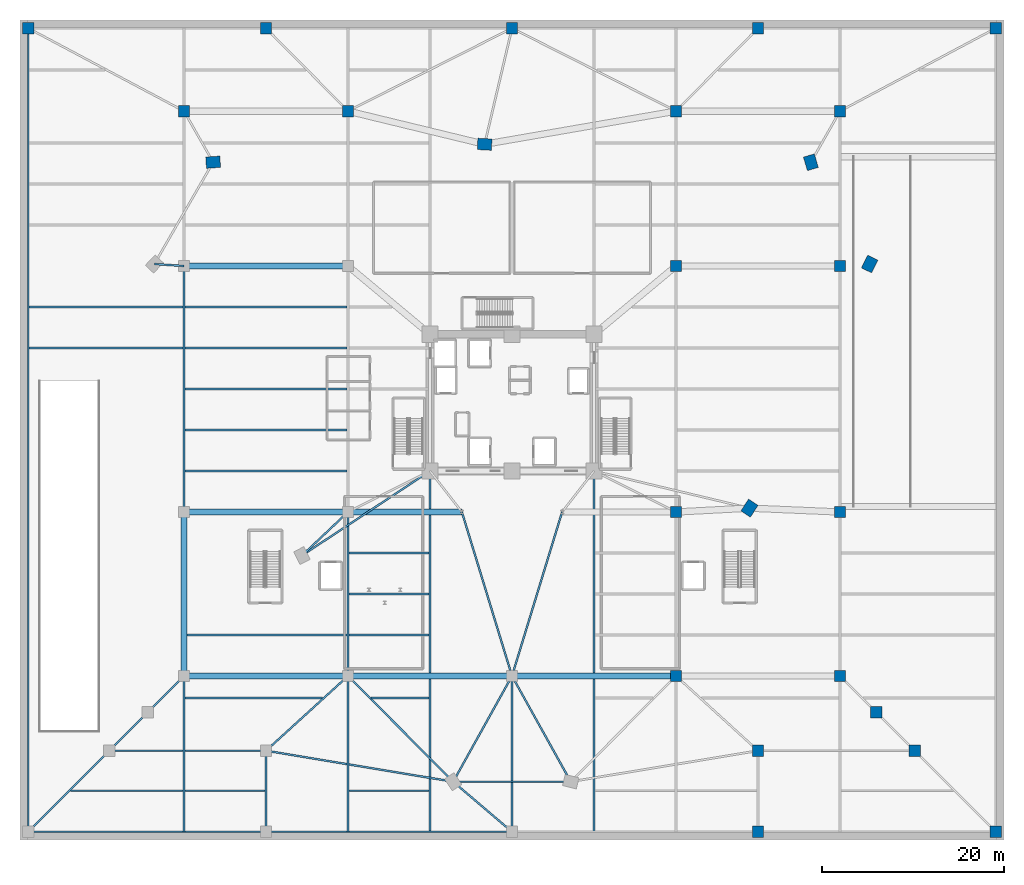
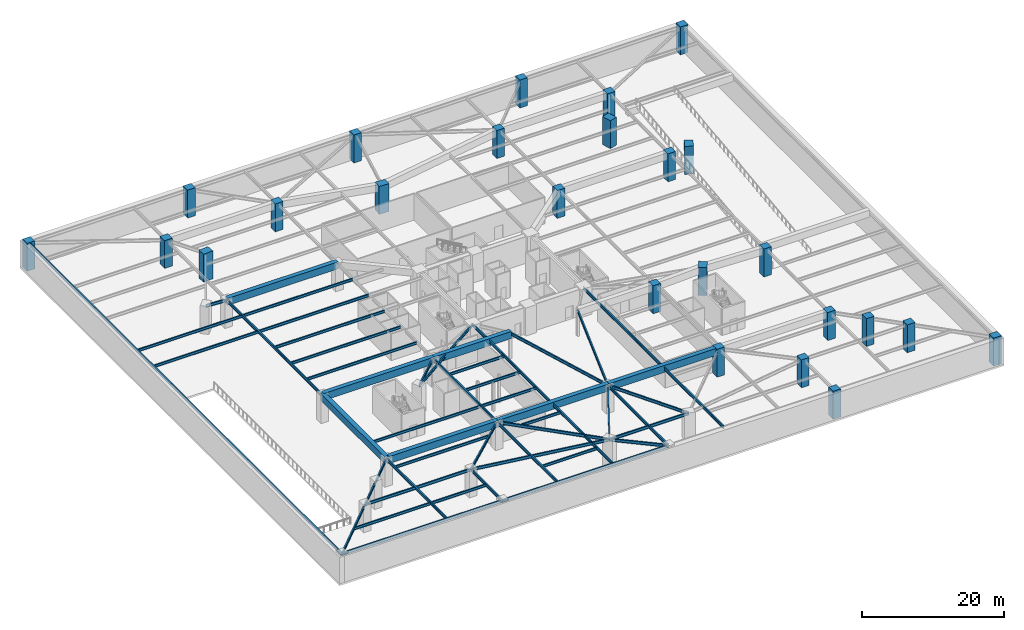
# One storey, part 5 of 20: 50 beams, 25 columns.
"""IFC4 building model written with IfcOpenShell, lengths in metres."""

import ifcopenshell
import ifcopenshell.guid

model = None  # the IFC model being written
_history = None  # IfcOwnerHistory: only IFC2X3 demands one
_inside = {}  # id of a spatial element -> (the spatial element, [elements in it])
_under = {}  # id of a project, library or spatial element -> (it, [spatial elements below it])
_declared = {}  # id of a project -> (the project, [libraries it declares])
_typed = {}  # id of a type object -> (the type object, [elements of that type])
_made_of = {}  # id of a material, layer set ... -> (it, [elements and type objects made of it])


def new_model(schema):
    """Start an empty IFC model of exactly this schema.

    Asked for "IFC4X3", IfcOpenShell would pick the latest addendum, in which some entities
    have other attributes; the version numbers below select the first issue.
    IFC2X3 requires an IfcOwnerHistory on every rooted entity: one is made here for all.
    """
    global model, _history
    if schema == "IFC4X3":
        model = ifcopenshell.file(schema_version=(4, 3, 0, 0))
    else:
        model = ifcopenshell.file(schema=schema)
    _inside.clear()
    _under.clear()
    _declared.clear()
    _typed.clear()
    _made_of.clear()
    _history = None
    if model.schema == "IFC2X3":
        org = make("IfcOrganization", Name="unknown")
        user = make(
            "IfcPersonAndOrganization",
            ThePerson=make("IfcPerson", FamilyName="unknown"),
            TheOrganization=org,
        )
        app = make(
            "IfcApplication",
            ApplicationDeveloper=org,
            Version="unknown",
            ApplicationFullName="unknown",
            ApplicationIdentifier="unknown",
        )
        _history = make(
            "IfcOwnerHistory",
            OwningUser=user,
            OwningApplication=app,
            ChangeAction="ADDED",
            CreationDate=0,
        )
    return model


def make(cls, **values):
    """One entity of the class cls with the attributes given. An attribute that is None is left unset."""
    return model.create_entity(
        cls, **{name: value for name, value in values.items() if value is not None}
    )


def rooted(cls, **values):
    """An entity with a GlobalId (a new one), such as an element, a storey or a relation."""
    return make(cls, GlobalId=ifcopenshell.guid.new(), OwnerHistory=_history, **values)


def si_unit(unit_type, name, prefix=None):
    """IfcSIUnit, for example si_unit("LENGTHUNIT", "METRE", prefix="MILLI")."""
    return make("IfcSIUnit", UnitType=unit_type, Prefix=prefix, Name=name)


def assignment(units):
    """IfcUnitAssignment: the units of a project."""
    return None if units is None else make("IfcUnitAssignment", Units=units)


def point(xyz):
    """IfcCartesianPoint."""
    return None if xyz is None else make("IfcCartesianPoint", Coordinates=xyz)


def direction(xyz):
    """IfcDirection."""
    return None if xyz is None else make("IfcDirection", DirectionRatios=xyz)


def frame(location, z_axis=None, x_axis=None):
    """IfcAxis2Placement3D, a coordinate frame: its origin and axes. An axis left out is left unset."""
    return make(
        "IfcAxis2Placement3D",
        Location=point(location),
        Axis=direction(z_axis),
        RefDirection=direction(x_axis),
    )


def frame_2d(location, x_axis=None):
    """IfcAxis2Placement2D, a coordinate frame in the plane: its origin and x axis."""
    return make(
        "IfcAxis2Placement2D", Location=point(location), RefDirection=direction(x_axis)
    )


def origin():
    """The frame at (0, 0, 0) with its axes left unset."""
    return frame((0.0, 0.0, 0.0))


def origin_2d():
    """The frame at (0, 0) in the plane with its x axis left unset."""
    return frame_2d((0.0, 0.0))


def place(relative_to, where):
    """IfcLocalPlacement: puts the frame where relative to a parent placement (None: the world)."""
    return make(
        "IfcLocalPlacement", PlacementRelTo=relative_to, RelativePlacement=where
    )


def context(
    kind, dimensions, precision=None, world=None, true_north=None, identifier=None
):
    """IfcGeometricRepresentationContext, for example the 3D "Model" context."""
    return make(
        "IfcGeometricRepresentationContext",
        ContextIdentifier=identifier,
        ContextType=kind,
        CoordinateSpaceDimension=dimensions,
        Precision=precision,
        WorldCoordinateSystem=world,
        TrueNorth=true_north,
    )


def subcontext(parent, identifier, kind, view, scale=None):
    """IfcGeometricRepresentationSubContext, for example "Body" below "Model"."""
    return make(
        "IfcGeometricRepresentationSubContext",
        ContextIdentifier=identifier,
        ContextType=kind,
        ParentContext=parent,
        TargetScale=scale,
        TargetView=view,
    )


def project(units=None, contexts=None):
    """IfcProject with its units and contexts."""
    return rooted(
        "IfcProject",
        Name="project",
        RepresentationContexts=contexts,
        UnitsInContext=assignment(units),
    )


def spatial(cls, under=None, at=None, **own):
    """A site, building, storey or space (cls), placed at a placement, below another one or the project."""
    s = rooted(cls, ObjectPlacement=at, **own)
    if under is not None:
        _under.setdefault(under.id(), (under, []))[1].append(s)
    return s


def profile(cls, at=None, kind="AREA", **sizes):
    """A parametric profile (cls). Its sizes go by their IFC names, for example OverallWidth=200.0."""
    return make(cls, ProfileType=kind, Position=at, **sizes)


def rectangle(**sizes):
    """IfcRectangleProfileDef."""
    return profile("IfcRectangleProfileDef", **sizes)


def i_section(**sizes):
    """IfcIShapeProfileDef."""
    return profile("IfcIShapeProfileDef", **sizes)


def extrude(swept, where, along, depth):
    """IfcExtrudedAreaSolid: the profile swept, set in the frame where, extruded along a direction by depth."""
    return make(
        "IfcExtrudedAreaSolid",
        SweptArea=swept,
        Position=where,
        ExtrudedDirection=direction(along),
        Depth=depth,
    )


def shape(context_of_items, identifier, shape_type, items):
    """IfcShapeRepresentation: the items that make up one representation, for example the "Body"."""
    return make(
        "IfcShapeRepresentation",
        ContextOfItems=context_of_items,
        RepresentationIdentifier=identifier,
        RepresentationType=shape_type,
        Items=items,
    )


def source(mapping_origin, context_of_items, identifier, shape_type, items):
    """IfcRepresentationMap: a shape defined once, which mapped items show again and again."""
    return make(
        "IfcRepresentationMap",
        MappingOrigin=mapping_origin,
        MappedRepresentation=shape(context_of_items, identifier, shape_type, items),
    )


def transform(
    local_origin,
    x_axis=None,
    y_axis=None,
    z_axis=None,
    scale=None,
    scale2=None,
    scale3=None,
    uniform=True,
):
    """IfcCartesianTransformationOperator3D, or its non-uniform kind. x_axis, y_axis, z_axis: its Axis1, 2, 3."""
    if uniform:
        return make(
            "IfcCartesianTransformationOperator3D",
            Axis1=direction(x_axis),
            Axis2=direction(y_axis),
            LocalOrigin=point(local_origin),
            Scale=scale,
            Axis3=direction(z_axis),
        )
    return make(
        "IfcCartesianTransformationOperator3DnonUniform",
        Axis1=direction(x_axis),
        Axis2=direction(y_axis),
        LocalOrigin=point(local_origin),
        Scale=scale,
        Axis3=direction(z_axis),
        Scale2=scale2,
        Scale3=scale3,
    )


def mapped(mapping_source, mapping_target):
    """IfcMappedItem: shows the shape of a source again, moved by a transform."""
    return make(
        "IfcMappedItem", MappingSource=mapping_source, MappingTarget=mapping_target
    )


def material(Name=None, Category=None):
    """IfcMaterial."""
    return make("IfcMaterial", Name=Name, Category=Category)


def material_profile(
    of_material, cross_section, Name=None, Category=None, Priority=None
):
    """IfcMaterialProfile: a cross section and its material."""
    return make(
        "IfcMaterialProfile",
        Name=Name,
        Material=of_material,
        Profile=cross_section,
        Priority=Priority,
        Category=Category,
    )


def profile_set(profiles, Name=None, composite=None):
    """IfcMaterialProfileSet."""
    return make(
        "IfcMaterialProfileSet",
        Name=Name,
        MaterialProfiles=profiles,
        CompositeProfile=composite,
    )


def made_of(thing, what):
    """Note that an element or type object is made of a material, layer set ...; save() writes the relation."""
    if what is not None:
        _made_of.setdefault(what.id(), (what, []))[1].append(thing)
    return thing


def type_object(cls, material=None, **own):
    """A type object (cls), such as IfcWallType, which elements share."""
    return made_of(rooted(cls, **own), material)


def element(
    cls,
    number,
    at=None,
    inside=None,
    cuts=None,
    type_object=None,
    material=None,
    context=None,
    identifier="Body",
    shape_type=None,
    held_by="IfcProductDefinitionShape",
    body=None,
    shapes=None,
    **own,
):
    """One element of the class cls, such as IfcWall. Its Tag is "e" and its number.

    at: its placement. inside: the storey or other place that contains it. cuts: it is an
    opening in that element (IfcRelVoidsElement). A single representation is given by context,
    identifier, shape_type and body (its items); several are given by shapes. held_by: the class
    of the entity that holds the representations. save() writes the other relations.
    """
    e = rooted(cls, Tag="e%d" % number, ObjectPlacement=at, **own)
    if body is not None:
        shapes = [shape(context, identifier, shape_type, body)]
    if shapes is not None:
        e.Representation = make(held_by, Representations=shapes)
    if inside is not None:
        _inside.setdefault(inside.id(), (inside, []))[1].append(e)
    if cuts is not None:
        rooted(
            "IfcRelVoidsElement", RelatingBuildingElement=cuts, RelatedOpeningElement=e
        )
    if type_object is not None:
        _typed.setdefault(type_object.id(), (type_object, []))[1].append(e)
    return made_of(e, material)


def aggregate(whole, parts):
    """IfcRelAggregates: a whole, such as a stair, and the parts it consists of."""
    return rooted("IfcRelAggregates", RelatingObject=whole, RelatedObjects=parts)


def save(model, path):
    """Write the relations noted so far, then the file.

    IfcRelAggregates (storeys below a building ...), IfcRelContainedInSpatialStructure (elements
    in a storey), IfcRelDefinesByType, IfcRelAssociatesMaterial and IfcRelDeclares: one each for
    every whole, place, type object, material and project.
    """
    for whole, parts in _under.values():
        aggregate(whole, parts)
    for where, things in _inside.values():
        rooted(
            "IfcRelContainedInSpatialStructure",
            RelatedElements=things,
            RelatingStructure=where,
        )
    for kind, things in _typed.values():
        rooted("IfcRelDefinesByType", RelatedObjects=things, RelatingType=kind)
    for what, things in _made_of.values():
        rooted("IfcRelAssociatesMaterial", RelatedObjects=things, RelatingMaterial=what)
    for by, libraries in _declared.values():
        rooted("IfcRelDeclares", RelatingContext=by, RelatedDefinitions=libraries)
    model.write(path)


model = new_model("IFC4")

# Units and contexts
model_context = context("Model", 3, precision=1e-05, world=origin(), true_north=direction((0.0, 1.0)))
body_context = subcontext(model_context, "Body", "Model", "MODEL_VIEW")
ifc_project = project(units=[si_unit("LENGTHUNIT", "METRE"), si_unit("AREAUNIT", "SQUARE_METRE"), si_unit("VOLUMEUNIT", "CUBIC_METRE"), si_unit("PLANEANGLEUNIT", "RADIAN"), si_unit("MASSUNIT", "GRAM", prefix="KILO")], contexts=[model_context])

# Site, building, storey
site_placement = place(None, origin())
site = spatial("IfcSite", under=ifc_project, at=site_placement, CompositionType="ELEMENT")
building_placement = place(site_placement, origin())
building = spatial("IfcBuilding", under=site, at=building_placement, Name="Liaohun Quay Tower", CompositionType="ELEMENT")
storey_placement = place(building_placement, frame((0.0, 0.0, -4.800048828125)))
storey = spatial("IfcBuildingStorey", under=building, at=storey_placement, Name="B1", CompositionType="ELEMENT", Elevation=-4.800048828125)

# Columns
ifc_material_1 = material(Name="Concrete C60", Category="concrete")
ifc_material_profile_1 = material_profile(ifc_material_1, rectangle(XDim=1.550048828125, YDim=1.25, at=origin_2d()), Name="RC1550x1250")
ifc_profile_set_1 = profile_set([ifc_material_profile_1], Name="Concrete C60")
column_type_1 = type_object("IfcColumnType", Name="COL-PIER-Z1", PredefinedType="COLUMN", material=ifc_profile_set_1)
shared_shape_1 = source(origin(), body_context, "Body", "SweptSolid", [
    extrude(rectangle(XDim=1.550048828125, YDim=1.25, at=origin_2d()), origin(), (0.0, 0.0, 1.0), 4.800048828125),
])
for number, where, z_axis, x_axis, name in (
    (1, (27.198974609375, 80.39111328125, 0.0), (0.0, 0.0, 1.0), (0.997824541457, 0.065925597951, 0.0), "B1 Tower Mega-Pier PC05"),
    (2, (92.802978515625, 80.384033203125, 0.0), (0.0, 0.0, 1.0), (-0.282676303383, 0.959215360337, 0.0), "B1 Tower Mega-Pier PC07"),
    (3, (99.256103515625, 69.2119140625, 0.0), (0.0, 0.0, 1.0), (0.441819028143, 0.897104200397, 0.0), "B1 Tower Mega-Pier PC09"),
    (4, (56.9951171875, 82.360107421875, 0.0), (0.0, 0.0, 1.0), (-0.998479491627, 0.055124448298, 0.0), "B1 Tower Mega-Pier PC06"),
    (5, (86.06396484375, 42.423095703125, 0.0), (0.0, 0.0, 1.0), (0.546978918409, 0.837146380758, 0.0), "B1 Tower Mega-Pier PC10"),
):
    element("IfcColumn", number, at=place(storey_placement, frame(where, z_axis=z_axis, x_axis=x_axis)), inside=storey, type_object=column_type_1, Name=name, PredefinedType="COLUMN", context=body_context, shape_type="MappedRepresentation", body=[
        mapped(shared_shape_1, transform((0.0, 0.0, 0.0), x_axis=(1.0, 0.0, 0.0), y_axis=(0.0, 1.0, 0.0), z_axis=(0.0, 0.0, 1.0), scale=1.0)),
    ])
ifc_material_profile_2 = material_profile(ifc_material_1, rectangle(XDim=1.25, YDim=1.25, at=origin_2d()), Name="RC1250x1250")
ifc_profile_set_2 = profile_set([ifc_material_profile_2], Name="Concrete C60")
column_type_2 = type_object("IfcColumnType", Name="COL-POD-B", PredefinedType="COLUMN", material=ifc_profile_set_2)
shared_shape_2 = source(origin(), body_context, "Body", "SweptSolid", [
    extrude(rectangle(XDim=1.25, YDim=1.25, at=origin_2d()), origin(), (0.0, 0.0, 1.0), 4.800048828125),
])
for number, where, z_axis, x_axis, name in (
    (6, (78.0, 24.0, 0.0), (0.0, 0.0, 1.0), (1.0, 0.0, 0.0), "B1 Podium Column PG04"),
    (7, (96.0, 24.0, 0.0), (0.0, 0.0, 1.0), (1.0, 0.0, 0.0), "B1 Podium Column PG05"),
    (8, (78.0, 42.0, 0.0), (0.0, 0.0, 1.0), (1.0, 0.0, 0.0), "B1 Podium Column PG08"),
    (9, (96.0, 42.0, 0.0), (0.0, 0.0, 1.0), (1.0, 0.0, 0.0), "B1 Podium Column PG09"),
    (10, (78.0, 69.0, 0.0), (0.0, 0.0, 1.0), (1.0, 0.0, 0.0), "B1 Podium Column PG12"),
    (11, (96.0, 69.0, 0.0), (0.0, 0.0, 1.0), (1.0, 0.0, 0.0), "B1 Podium Column PG13"),
    (12, (24.0, 86.0, 0.0), (0.0, 0.0, 1.0), (1.0, 0.0, 0.0), "B1 Podium Column PG14"),
    (13, (42.0, 86.0, 0.0), (0.0, 0.0, 1.0), (1.0, 0.0, 0.0), "B1 Podium Column PG15"),
    (14, (78.0, 86.0, 0.0), (0.0, 0.0, 1.0), (1.0, 0.0, 0.0), "B1 Podium Column PG17"),
    (15, (96.0, 86.0, 0.0), (0.0, 0.0, 1.0), (1.0, 0.0, 0.0), "B1 Podium Column PG18"),
    (16, (87.0, 15.800048828125, 0.0), (0.0, 0.0, 1.0), (1.0, 0.0, 0.0), "B1 Podium Column PT03"),
    (17, (104.199951171875, 15.800048828125, 0.0), (0.0, 0.0, 1.0), (1.0, 0.0, 0.0), "B1 Podium Column PT04"),
    (18, (100.0, 20.0, 0.0), (0.0, 0.0, 1.0), (1.0, 0.0, 0.0), "B1 Podium Column PT06"),
    (19, (87.0, 6.89990234375, 0.0), (0.0, 0.0, 1.0), (1.0, 0.0, 0.0), "B1 Podium Column BP04"),
    (20, (113.10009765625, 6.89990234375, 0.0), (0.0, 0.0, 1.0), (1.0, 0.0, 0.0), "B1 Podium Column BP05"),
    (21, (6.89990234375, 95.10009765625, 0.0), (0.0, 0.0, 1.0), (1.0, 0.0, 0.0), "B1 Podium Column BP06"),
    (22, (33.0, 95.10009765625, 0.0), (0.0, 0.0, 1.0), (1.0, 0.0, 0.0), "B1 Podium Column BP07"),
    (23, (60.0, 95.10009765625, 0.0), (0.0, 0.0, 1.0), (1.0, 0.0, 0.0), "B1 Podium Column BP08"),
    (24, (87.0, 95.10009765625, 0.0), (0.0, 0.0, 1.0), (1.0, 0.0, 0.0), "B1 Podium Column BP09"),
    (25, (113.10009765625, 95.10009765625, 0.0), (0.0, 0.0, 1.0), (1.0, 0.0, 0.0), "B1 Podium Column BP10"),
):
    element("IfcColumn", number, at=place(storey_placement, frame(where, z_axis=z_axis, x_axis=x_axis)), inside=storey, type_object=column_type_2, Name=name, PredefinedType="COLUMN", context=body_context, shape_type="MappedRepresentation", body=[
        mapped(shared_shape_2, transform((0.0, 0.0, 0.0), x_axis=(1.0, 0.0, 0.0), y_axis=(0.0, 1.0, 0.0), z_axis=(0.0, 0.0, 1.0), scale=1.0)),
    ])

# Beams
ifc_material_2 = material(Name="Steel Q355D", Category="steel")
ifc_material_profile_3 = material_profile(ifc_material_2, i_section(OverallWidth=0.199951171875, OverallDepth=0.5, WebThickness=0.010009765625, FlangeThickness=0.01611328125, at=origin_2d()), Name="HN500x200x10x16")
ifc_profile_set_3 = profile_set([ifc_material_profile_3], Name="Steel Q355D")
beam_type_1 = type_object("IfcBeamType", Name="BM-POD-G3", PredefinedType="BEAM", material=ifc_profile_set_3)
shared_shape_3 = source(origin(), body_context, "Body", "SweptSolid", [
    extrude(i_section(OverallWidth=0.199951171875, OverallDepth=0.5, WebThickness=0.010009765625, FlangeThickness=0.01611328125, at=origin_2d()), origin(), (0.0, 0.0, 1.0), 27.0),
])
for number, where, z_axis, x_axis, name in (
    (26, (24.0, 42.0, 4.300048828125), (0.0, 1.0, 0.0), (-1.0, 0.0, 0.0), "B1 Primary Grid Girder PG06-PG10"),
    (27, (33.0, 6.89990234375, 4.300048828125), (1.0, 0.0, 0.0), (0.0, 1.0, 0.0), "B1 Perimeter Tie Girder BP02-BP03"),
):
    element("IfcBeam", number, at=place(storey_placement, frame(where, z_axis=z_axis, x_axis=x_axis)), inside=storey, type_object=beam_type_1, Name=name, PredefinedType="BEAM", context=body_context, shape_type="MappedRepresentation", body=[
        mapped(shared_shape_3, transform((0.0, 0.0, 0.0), x_axis=(1.0, 0.0, 0.0), y_axis=(0.0, 1.0, 0.0), z_axis=(0.0, 0.0, 1.0), scale=1.0)),
    ])
shared_shape_4 = source(origin(), body_context, "Body", "SweptSolid", [
    extrude(i_section(OverallWidth=0.199951171875, OverallDepth=0.5, WebThickness=0.010009765625, FlangeThickness=0.01611328125, at=origin_2d()), origin(), (0.0, 0.0, 1.0), 18.0),
])
beam_1_placement = place(storey_placement, frame((42.0, 24.0, 4.300048828125), z_axis=(0.0, 1.0, 0.0), x_axis=(-1.0, 0.0, 0.0)))
element("IfcBeam", 28, at=beam_1_placement, inside=storey, type_object=beam_type_1, Name="B1 Primary Grid Girder PG02-PG07", PredefinedType="BEAM", context=body_context, shape_type="MappedRepresentation", body=[
    mapped(shared_shape_4, transform((0.0, 0.0, 0.0), x_axis=(1.0, 0.0, 0.0), y_axis=(0.0, 1.0, 0.0), z_axis=(0.0, 0.0, 1.0), scale=1.0)),
])
shared_shape_5 = source(origin(), body_context, "Body", "SweptSolid", [
    extrude(i_section(OverallWidth=0.199951171875, OverallDepth=0.5, WebThickness=0.010009765625, FlangeThickness=0.01611328125, at=origin_2d()), origin(), (0.0, 0.0, 1.0), 18.821533203125),
])
for number, where, z_axis, x_axis, name in (
    (29, (60.0, 24.0, 4.300048828125), (-0.292218535599, 0.956351571051, 0.0), (-0.956351571051, -0.292218535599, 0.0), "B1 Primary Grid Girder PG03-AT1"),
    (30, (60.0, 24.0, 4.300048828125), (0.292218535599, 0.956351571051, 0.0), (-0.956351571051, 0.292218535599, 0.0), "B1 Primary Grid Girder PG03-AT2"),
):
    element("IfcBeam", number, at=place(storey_placement, frame(where, z_axis=z_axis, x_axis=x_axis)), inside=storey, type_object=beam_type_1, Name=name, PredefinedType="BEAM", context=body_context, shape_type="MappedRepresentation", body=[
        mapped(shared_shape_5, transform((0.0, 0.0, 0.0), x_axis=(1.0, 0.0, 0.0), y_axis=(0.0, 1.0, 0.0), z_axis=(0.0, 0.0, 1.0), scale=1.0)),
    ])
shared_shape_6 = source(origin(), body_context, "Body", "SweptSolid", [
    extrude(i_section(OverallWidth=0.199951171875, OverallDepth=0.5, WebThickness=0.010009765625, FlangeThickness=0.01611328125, at=origin_2d()), origin(), (0.0, 0.0, 1.0), 16.368896484375),
])
beam_2_placement = place(storey_placement, frame((53.5458984375, 12.39697265625, 4.300048828125), z_axis=(-0.705359574392, 0.708849681395, 0.0), x_axis=(-0.708849681395, -0.705359574392, 0.0)))
element("IfcBeam", 31, at=beam_2_placement, inside=storey, type_object=beam_type_1, Name="B1 Primary Grid Girder PC01-PG02", PredefinedType="BEAM", context=body_context, shape_type="MappedRepresentation", body=[
    mapped(shared_shape_6, transform((0.0, 0.0, 0.0), x_axis=(1.0, 0.0, 0.0), y_axis=(0.0, 1.0, 0.0), z_axis=(0.0, 0.0, 1.0), scale=1.0)),
])
shared_shape_7 = source(origin(), body_context, "Body", "SweptSolid", [
    extrude(i_section(OverallWidth=0.199951171875, OverallDepth=0.5, WebThickness=0.010009765625, FlangeThickness=0.01611328125, at=origin_2d()), origin(), (0.0, 0.0, 1.0), 13.27734375),
])
beam_3_placement = place(storey_placement, frame((53.5458984375, 12.39697265625, 4.300048828125), z_axis=(0.486101867227, 0.87390215395, 0.0), x_axis=(-0.87390215395, 0.486101867227, 0.0)))
element("IfcBeam", 32, at=beam_3_placement, inside=storey, type_object=beam_type_1, Name="B1 Primary Grid Girder PC01-PG03", PredefinedType="BEAM", context=body_context, shape_type="MappedRepresentation", body=[
    mapped(shared_shape_7, transform((0.0, 0.0, 0.0), x_axis=(1.0, 0.0, 0.0), y_axis=(0.0, 1.0, 0.0), z_axis=(0.0, 0.0, 1.0), scale=1.0)),
])
shared_shape_8 = source(origin(), body_context, "Body", "SweptSolid", [
    extrude(i_section(OverallWidth=0.199951171875, OverallDepth=0.5, WebThickness=0.010009765625, FlangeThickness=0.01611328125, at=origin_2d()), origin(), (0.0, 0.0, 1.0), 13.272705078125),
])
beam_4_placement = place(storey_placement, frame((66.447998046875, 12.39892578125, 4.300048828125), z_axis=(-0.485813156466, 0.874062684826, 0.0), x_axis=(-0.874062684826, -0.485813156466, 0.0)))
element("IfcBeam", 33, at=beam_4_placement, inside=storey, type_object=beam_type_1, Name="B1 Primary Grid Girder PC11-PG03", PredefinedType="BEAM", context=body_context, shape_type="MappedRepresentation", body=[
    mapped(shared_shape_8, transform((0.0, 0.0, 0.0), x_axis=(1.0, 0.0, 0.0), y_axis=(0.0, 1.0, 0.0), z_axis=(0.0, 0.0, 1.0), scale=1.0)),
])
shared_shape_9 = source(origin(), body_context, "Body", "SweptSolid", [
    extrude(i_section(OverallWidth=0.199951171875, OverallDepth=0.5, WebThickness=0.010009765625, FlangeThickness=0.01611328125, at=origin_2d()), origin(), (0.0, 0.0, 1.0), 12.902099609375),
])
beam_5_placement = place(storey_placement, frame((53.5458984375, 12.39697265625, 4.300048828125), z_axis=(0.999999988542, 0.000151380398, 0.0), x_axis=(-0.000151380398, 0.999999988542, 0.0)))
element("IfcBeam", 34, at=beam_5_placement, inside=storey, type_object=beam_type_1, Name="B1 Primary Grid Girder PC01-PC11", PredefinedType="BEAM", context=body_context, shape_type="MappedRepresentation", body=[
    mapped(shared_shape_9, transform((0.0, 0.0, 0.0), x_axis=(1.0, 0.0, 0.0), y_axis=(0.0, 1.0, 0.0), z_axis=(0.0, 0.0, 1.0), scale=1.0)),
])
shared_shape_10 = source(origin(), body_context, "Body", "SweptSolid", [
    extrude(i_section(OverallWidth=0.199951171875, OverallDepth=0.5, WebThickness=0.010009765625, FlangeThickness=0.01611328125, at=origin_2d()), origin(), (0.0, 0.0, 1.0), 6.962158203125),
])
beam_6_placement = place(storey_placement, frame((36.94091796875, 37.217041015625, 4.300048828125), z_axis=(0.726659067673, 0.686998252813, 0.0), x_axis=(-0.686998252813, 0.726659067673, 0.0)))
element("IfcBeam", 35, at=beam_6_placement, inside=storey, type_object=beam_type_1, Name="B1 Primary Grid Girder PC02-PG07", PredefinedType="BEAM", context=body_context, shape_type="MappedRepresentation", body=[
    mapped(shared_shape_10, transform((0.0, 0.0, 0.0), x_axis=(1.0, 0.0, 0.0), y_axis=(0.0, 1.0, 0.0), z_axis=(0.0, 0.0, 1.0), scale=1.0)),
])
shared_shape_11 = source(origin(), body_context, "Body", "SweptSolid", [
    extrude(i_section(OverallWidth=0.199951171875, OverallDepth=0.5, WebThickness=0.010009765625, FlangeThickness=0.01611328125, at=origin_2d()), origin(), (0.0, 0.0, 1.0), 16.84716796875),
])
beam_7_placement = place(storey_placement, frame((36.94091796875, 37.217041015625, 4.300048828125), z_axis=(0.834501195619, 0.551006129285, 0.0), x_axis=(-0.551006129285, 0.834501195619, 0.0)))
element("IfcBeam", 36, at=beam_7_placement, inside=storey, type_object=beam_type_1, Name="B1 Primary Grid Girder PC02-CC1", PredefinedType="BEAM", context=body_context, shape_type="MappedRepresentation", body=[
    mapped(shared_shape_11, transform((0.0, 0.0, 0.0), x_axis=(1.0, 0.0, 0.0), y_axis=(0.0, 1.0, 0.0), z_axis=(0.0, 0.0, 1.0), scale=1.0)),
])
shared_shape_12 = source(origin(), body_context, "Body", "SweptSolid", [
    extrude(i_section(OverallWidth=0.199951171875, OverallDepth=0.5, WebThickness=0.010009765625, FlangeThickness=0.01611328125, at=origin_2d()), origin(), (0.0, 0.0, 1.0), 3.25927734375),
])
beam_8_placement = place(storey_placement, frame((20.748046875, 69.217041015625, 4.300048828125), z_axis=(0.997780183272, -0.066593587307, 0.0), x_axis=(0.066593587307, 0.997780183272, 0.0)))
element("IfcBeam", 37, at=beam_8_placement, inside=storey, type_object=beam_type_1, Name="B1 Primary Grid Girder PC03-PG10", PredefinedType="BEAM", context=body_context, shape_type="MappedRepresentation", body=[
    mapped(shared_shape_12, transform((0.0, 0.0, 0.0), x_axis=(1.0, 0.0, 0.0), y_axis=(0.0, 1.0, 0.0), z_axis=(0.0, 0.0, 1.0), scale=1.0)),
])
shared_shape_13 = source(origin(), body_context, "Body", "SweptSolid", [
    extrude(i_section(OverallWidth=0.199951171875, OverallDepth=0.5, WebThickness=0.010009765625, FlangeThickness=0.01611328125, at=origin_2d()), origin(), (0.0, 0.0, 1.0), 17.199951171875),
])
beam_9_placement = place(storey_placement, frame((15.800048828125, 15.800048828125, 4.300048828125), z_axis=(1.0, 0.0, 0.0), x_axis=(0.0, 1.0, 0.0)))
element("IfcBeam", 38, at=beam_9_placement, inside=storey, type_object=beam_type_1, Name="B1 Perimeter Tie Girder PT01-PT02", PredefinedType="BEAM", context=body_context, shape_type="MappedRepresentation", body=[
    mapped(shared_shape_13, transform((0.0, 0.0, 0.0), x_axis=(1.0, 0.0, 0.0), y_axis=(0.0, 1.0, 0.0), z_axis=(0.0, 0.0, 1.0), scale=1.0)),
])
shared_shape_14 = source(origin(), body_context, "Body", "SweptSolid", [
    extrude(i_section(OverallWidth=0.199951171875, OverallDepth=0.5, WebThickness=0.010009765625, FlangeThickness=0.01611328125, at=origin_2d()), origin(), (0.0, 0.0, 1.0), 20.825927734375),
])
beam_10_placement = place(storey_placement, frame((33.0, 15.800048828125, 4.300048828125), z_axis=(0.986558813697, -0.163406569991, 0.0), x_axis=(0.163406569991, 0.986558813697, 0.0)))
element("IfcBeam", 39, at=beam_10_placement, inside=storey, type_object=beam_type_1, Name="B1 Perimeter Tie Girder PT02-PC01", PredefinedType="BEAM", context=body_context, shape_type="MappedRepresentation", body=[
    mapped(shared_shape_14, transform((0.0, 0.0, 0.0), x_axis=(1.0, 0.0, 0.0), y_axis=(0.0, 1.0, 0.0), z_axis=(0.0, 0.0, 1.0), scale=1.0)),
])
shared_shape_15 = source(origin(), body_context, "Body", "SweptSolid", [
    extrude(i_section(OverallWidth=0.199951171875, OverallDepth=0.5, WebThickness=0.010009765625, FlangeThickness=0.01611328125, at=origin_2d()), origin(), (0.0, 0.0, 1.0), 5.939697265625),
])
beam_11_placement = place(storey_placement, frame((15.800048828125, 15.800048828125, 4.300048828125), z_axis=(0.707106781187, 0.707106781187, 0.0), x_axis=(-0.707106781187, 0.707106781187, 0.0)))
element("IfcBeam", 40, at=beam_11_placement, inside=storey, type_object=beam_type_1, Name="B1 Perimeter Tie Girder PT01-PT05", PredefinedType="BEAM", context=body_context, shape_type="MappedRepresentation", body=[
    mapped(shared_shape_15, transform((0.0, 0.0, 0.0), x_axis=(1.0, 0.0, 0.0), y_axis=(0.0, 1.0, 0.0), z_axis=(0.0, 0.0, 1.0), scale=1.0)),
])
shared_shape_16 = source(origin(), body_context, "Body", "SweptSolid", [
    extrude(i_section(OverallWidth=0.199951171875, OverallDepth=0.5, WebThickness=0.010009765625, FlangeThickness=0.01611328125, at=origin_2d()), origin(), (0.0, 0.0, 1.0), 12.17529296875),
])
beam_12_placement = place(storey_placement, frame((33.0, 15.800048828125, 4.300048828125), z_axis=(0.739198333818, 0.673487804849, 0.0), x_axis=(-0.673487804849, 0.739198333818, 0.0)))
element("IfcBeam", 41, at=beam_12_placement, inside=storey, type_object=beam_type_1, Name="B1 Perimeter Tie Girder PT02-PG02", PredefinedType="BEAM", context=body_context, shape_type="MappedRepresentation", body=[
    mapped(shared_shape_16, transform((0.0, 0.0, 0.0), x_axis=(1.0, 0.0, 0.0), y_axis=(0.0, 1.0, 0.0), z_axis=(0.0, 0.0, 1.0), scale=1.0)),
])
shared_shape_17 = source(origin(), body_context, "Body", "SweptSolid", [
    extrude(i_section(OverallWidth=0.199951171875, OverallDepth=0.5, WebThickness=0.010009765625, FlangeThickness=0.01611328125, at=origin_2d()), origin(), (0.0, 0.0, 1.0), 5.65673828125),
])
beam_13_placement = place(storey_placement, frame((20.0, 20.0, 4.300048828125), z_axis=(0.707106781187, 0.707106781187, 0.0), x_axis=(-0.707106781187, 0.707106781187, 0.0)))
element("IfcBeam", 42, at=beam_13_placement, inside=storey, type_object=beam_type_1, Name="B1 Perimeter Tie Girder PT05-PG01", PredefinedType="BEAM", context=body_context, shape_type="MappedRepresentation", body=[
    mapped(shared_shape_17, transform((0.0, 0.0, 0.0), x_axis=(1.0, 0.0, 0.0), y_axis=(0.0, 1.0, 0.0), z_axis=(0.0, 0.0, 1.0), scale=1.0)),
])
shared_shape_18 = source(origin(), body_context, "Body", "SweptSolid", [
    extrude(i_section(OverallWidth=0.199951171875, OverallDepth=0.5, WebThickness=0.010009765625, FlangeThickness=0.01611328125, at=origin_2d()), origin(), (0.0, 0.0, 1.0), 26.10009765625),
])
beam_14_placement = place(storey_placement, frame((6.89990234375, 6.89990234375, 4.300048828125), z_axis=(1.0, 0.0, 0.0), x_axis=(0.0, 1.0, 0.0)))
element("IfcBeam", 43, at=beam_14_placement, inside=storey, type_object=beam_type_1, Name="B1 Perimeter Tie Girder BP01-BP02", PredefinedType="BEAM", context=body_context, shape_type="MappedRepresentation", body=[
    mapped(shared_shape_18, transform((0.0, 0.0, 0.0), x_axis=(1.0, 0.0, 0.0), y_axis=(0.0, 1.0, 0.0), z_axis=(0.0, 0.0, 1.0), scale=1.0)),
])
shared_shape_19 = source(origin(), body_context, "Body", "SweptSolid", [
    extrude(i_section(OverallWidth=0.199951171875, OverallDepth=0.5, WebThickness=0.010009765625, FlangeThickness=0.01611328125, at=origin_2d()), origin(), (0.0, 0.0, 1.0), 88.2001953125),
])
beam_15_placement = place(storey_placement, frame((6.89990234375, 6.89990234375, 4.300048828125), z_axis=(0.0, 1.0, 0.0), x_axis=(-1.0, 0.0, 0.0)))
element("IfcBeam", 44, at=beam_15_placement, inside=storey, type_object=beam_type_1, Name="B1 Perimeter Tie Girder BP01-BP06", PredefinedType="BEAM", context=body_context, shape_type="MappedRepresentation", body=[
    mapped(shared_shape_19, transform((0.0, 0.0, 0.0), x_axis=(1.0, 0.0, 0.0), y_axis=(0.0, 1.0, 0.0), z_axis=(0.0, 0.0, 1.0), scale=1.0)),
])
shared_shape_20 = source(origin(), body_context, "Body", "SweptSolid", [
    extrude(i_section(OverallWidth=0.199951171875, OverallDepth=0.5, WebThickness=0.010009765625, FlangeThickness=0.01611328125, at=origin_2d()), origin(), (0.0, 0.0, 1.0), 12.586669921875),
])
beam_16_placement = place(storey_placement, frame((6.89990234375, 6.89990234375, 4.300048828125), z_axis=(0.707106781187, 0.707106781187, 0.0), x_axis=(-0.707106781187, 0.707106781187, 0.0)))
element("IfcBeam", 45, at=beam_16_placement, inside=storey, type_object=beam_type_1, Name="B1 Perimeter Tie Girder BP01-PT01", PredefinedType="BEAM", context=body_context, shape_type="MappedRepresentation", body=[
    mapped(shared_shape_20, transform((0.0, 0.0, 0.0), x_axis=(1.0, 0.0, 0.0), y_axis=(0.0, 1.0, 0.0), z_axis=(0.0, 0.0, 1.0), scale=1.0)),
])
shared_shape_21 = source(origin(), body_context, "Body", "SweptSolid", [
    extrude(i_section(OverallWidth=0.199951171875, OverallDepth=0.5, WebThickness=0.010009765625, FlangeThickness=0.01611328125, at=origin_2d()), origin(), (0.0, 0.0, 1.0), 8.900146484375),
])
beam_17_placement = place(storey_placement, frame((33.0, 6.89990234375, 4.300048828125), z_axis=(0.0, 1.0, 0.0), x_axis=(-1.0, 0.0, 0.0)))
element("IfcBeam", 46, at=beam_17_placement, inside=storey, type_object=beam_type_1, Name="B1 Perimeter Tie Girder BP02-PT02", PredefinedType="BEAM", context=body_context, shape_type="MappedRepresentation", body=[
    mapped(shared_shape_21, transform((0.0, 0.0, 0.0), x_axis=(1.0, 0.0, 0.0), y_axis=(0.0, 1.0, 0.0), z_axis=(0.0, 0.0, 1.0), scale=1.0)),
])
shared_shape_22 = source(origin(), body_context, "Body", "SweptSolid", [
    extrude(i_section(OverallWidth=0.199951171875, OverallDepth=0.5, WebThickness=0.010009765625, FlangeThickness=0.01611328125, at=origin_2d()), origin(), (0.0, 0.0, 1.0), 8.477783203125),
])
beam_18_placement = place(storey_placement, frame((60.0, 6.89990234375, 4.300048828125), z_axis=(-0.761293772797, 0.648407118638, 0.0), x_axis=(-0.648407118638, -0.761293772797, 0.0)))
element("IfcBeam", 47, at=beam_18_placement, inside=storey, type_object=beam_type_1, Name="B1 Perimeter Tie Girder BP03-PC01", PredefinedType="BEAM", context=body_context, shape_type="MappedRepresentation", body=[
    mapped(shared_shape_22, transform((0.0, 0.0, 0.0), x_axis=(1.0, 0.0, 0.0), y_axis=(0.0, 1.0, 0.0), z_axis=(0.0, 0.0, 1.0), scale=1.0)),
])
shared_shape_23 = source(origin(), body_context, "Body", "SweptSolid", [
    extrude(i_section(OverallWidth=0.199951171875, OverallDepth=0.5, WebThickness=0.010009765625, FlangeThickness=0.01611328125, at=origin_2d()), origin(), (0.0, 0.0, 1.0), 17.10009765625),
])
for number, where, z_axis, x_axis, name in (
    (48, (60.0, 6.89990234375, 4.300048828125), (0.0, 1.0, 0.0), (-1.0, 0.0, 0.0), "B1 Perimeter Tie Girder BP03-PG03"),
    (49, (24.0, 6.89990234375, 4.300048828125), (0.0, 1.0, 0.0), (-1.0, 0.0, 0.0), "B1 South Apron Spine Girder X24"),
    (50, (42.0, 6.89990234375, 4.300048828125), (0.0, 1.0, 0.0), (-1.0, 0.0, 0.0), "B1 South Apron Spine Girder X42"),
):
    element("IfcBeam", number, at=place(storey_placement, frame(where, z_axis=z_axis, x_axis=x_axis)), inside=storey, type_object=beam_type_1, Name=name, PredefinedType="BEAM", context=body_context, shape_type="MappedRepresentation", body=[
        mapped(shared_shape_23, transform((0.0, 0.0, 0.0), x_axis=(1.0, 0.0, 0.0), y_axis=(0.0, 1.0, 0.0), z_axis=(0.0, 0.0, 1.0), scale=1.0)),
    ])
shared_shape_24 = source(origin(), body_context, "Body", "SweptSolid", [
    extrude(i_section(OverallWidth=0.199951171875, OverallDepth=0.5, WebThickness=0.010009765625, FlangeThickness=0.01611328125, at=origin_2d()), origin(), (0.0, 0.0, 1.0), 39.60009765625),
])
for number, where, z_axis, x_axis, name in (
    (51, (51.0, 6.89990234375, 4.300048828125), (0.0, 1.0, 0.0), (-1.0, 0.0, 0.0), "B1 Spine Girder X51-S"),
    (52, (69.0, 6.89990234375, 4.300048828125), (0.0, 1.0, 0.0), (-1.0, 0.0, 0.0), "B1 Spine Girder X69-S"),
):
    element("IfcBeam", number, at=place(storey_placement, frame(where, z_axis=z_axis, x_axis=x_axis)), inside=storey, type_object=beam_type_1, Name=name, PredefinedType="BEAM", context=body_context, shape_type="MappedRepresentation", body=[
        mapped(shared_shape_24, transform((0.0, 0.0, 0.0), x_axis=(1.0, 0.0, 0.0), y_axis=(0.0, 1.0, 0.0), z_axis=(0.0, 0.0, 1.0), scale=1.0)),
    ])
ifc_material_profile_4 = material_profile(ifc_material_2, i_section(OverallWidth=0.199951171875, OverallDepth=0.449951171875, WebThickness=0.009033203125, FlangeThickness=0.013916015625, at=origin_2d()), Name="HN450x200x9x14")
ifc_profile_set_4 = profile_set([ifc_material_profile_4], Name="Steel Q355D")
beam_type_2 = type_object("IfcBeamType", Name="BM-SEC-J1", PredefinedType="JOIST", material=ifc_profile_set_4)
shared_shape_25 = source(origin(), body_context, "Body", "SweptSolid", [
    extrude(i_section(OverallWidth=0.199951171875, OverallDepth=0.449951171875, WebThickness=0.009033203125, FlangeThickness=0.013916015625, at=origin_2d()), origin(), (0.0, 0.0, 1.0), 12.35888671875),
])
beam_19_placement = place(storey_placement, frame((11.541015625, 11.39990234375, 4.324951171875), z_axis=(1.0, 0.0, 0.0), x_axis=(0.0, 1.0, 0.0)))
element("IfcBeam", 53, at=beam_19_placement, inside=storey, type_object=beam_type_2, Name="B1 Composite Floor Joist SJ-01", PredefinedType="JOIST", context=body_context, shape_type="MappedRepresentation", body=[
    mapped(shared_shape_25, transform((0.0, 0.0, 0.0), x_axis=(1.0, 0.0, 0.0), y_axis=(0.0, 1.0, 0.0), z_axis=(0.0, 0.0, 1.0), scale=1.0)),
])
shared_shape_26 = source(origin(), body_context, "Body", "SweptSolid", [
    extrude(i_section(OverallWidth=0.199951171875, OverallDepth=0.449951171875, WebThickness=0.009033203125, FlangeThickness=0.013916015625, at=origin_2d()), origin(), (0.0, 0.0, 1.0), 16.89990234375),
])
for number, where, z_axis, x_axis, name in (
    (54, (7.0, 60.0, 4.324951171875), (1.0, 0.0, 0.0), (0.0, 1.0, 0.0), "B1 Composite Floor Joist SJ-09"),
    (55, (7.0, 64.5, 4.324951171875), (1.0, 0.0, 0.0), (0.0, 1.0, 0.0), "B1 Composite Floor Joist SJ-10"),
):
    element("IfcBeam", number, at=place(storey_placement, frame(where, z_axis=z_axis, x_axis=x_axis)), inside=storey, type_object=beam_type_2, Name=name, PredefinedType="JOIST", context=body_context, shape_type="MappedRepresentation", body=[
        mapped(shared_shape_26, transform((0.0, 0.0, 0.0), x_axis=(1.0, 0.0, 0.0), y_axis=(0.0, 1.0, 0.0), z_axis=(0.0, 0.0, 1.0), scale=1.0)),
    ])
shared_shape_27 = source(origin(), body_context, "Body", "SweptSolid", [
    extrude(i_section(OverallWidth=0.199951171875, OverallDepth=0.449951171875, WebThickness=0.009033203125, FlangeThickness=0.013916015625, at=origin_2d()), origin(), (0.0, 0.0, 1.0), 8.7998046875),
])
for number, where, z_axis, x_axis, name in (
    (56, (24.10009765625, 11.39990234375, 4.324951171875), (1.0, 0.0, 0.0), (0.0, 1.0, 0.0), "B1 Composite Floor Joist SJ-15"),
    (57, (42.10009765625, 11.39990234375, 4.324951171875), (1.0, 0.0, 0.0), (0.0, 1.0, 0.0), "B1 Composite Floor Joist SJ-29"),
    (58, (42.10009765625, 28.5, 4.324951171875), (1.0, 0.0, 0.0), (0.0, 1.0, 0.0), "B1 Composite Floor Joist SJ-31"),
    (59, (42.10009765625, 33.0, 4.324951171875), (1.0, 0.0, 0.0), (0.0, 1.0, 0.0), "B1 Composite Floor Joist SJ-32"),
    (60, (42.10009765625, 37.5, 4.324951171875), (1.0, 0.0, 0.0), (0.0, 1.0, 0.0), "B1 Composite Floor Joist SJ-33"),
):
    element("IfcBeam", number, at=place(storey_placement, frame(where, z_axis=z_axis, x_axis=x_axis)), inside=storey, type_object=beam_type_2, Name=name, PredefinedType="JOIST", context=body_context, shape_type="MappedRepresentation", body=[
        mapped(shared_shape_27, transform((0.0, 0.0, 0.0), x_axis=(1.0, 0.0, 0.0), y_axis=(0.0, 1.0, 0.0), z_axis=(0.0, 0.0, 1.0), scale=1.0)),
    ])
shared_shape_28 = source(origin(), body_context, "Body", "SweptSolid", [
    extrude(i_section(OverallWidth=0.199951171875, OverallDepth=0.449951171875, WebThickness=0.009033203125, FlangeThickness=0.013916015625, at=origin_2d()), origin(), (0.0, 0.0, 1.0), 15.116943359375),
])
beam_20_placement = place(storey_placement, frame((24.10009765625, 21.60009765625, 4.324951171875), z_axis=(1.0, 0.0, 0.0), x_axis=(0.0, 1.0, 0.0)))
element("IfcBeam", 61, at=beam_20_placement, inside=storey, type_object=beam_type_2, Name="B1 Composite Floor Joist SJ-16", PredefinedType="JOIST", context=body_context, shape_type="MappedRepresentation", body=[
    mapped(shared_shape_28, transform((0.0, 0.0, 0.0), x_axis=(1.0, 0.0, 0.0), y_axis=(0.0, 1.0, 0.0), z_axis=(0.0, 0.0, 1.0), scale=1.0)),
])
shared_shape_29 = source(origin(), body_context, "Body", "SweptSolid", [
    extrude(i_section(OverallWidth=0.199951171875, OverallDepth=0.449951171875, WebThickness=0.009033203125, FlangeThickness=0.013916015625, at=origin_2d()), origin(), (0.0, 0.0, 1.0), 17.7998046875),
])
for number, where, z_axis, x_axis, name in (
    (62, (24.10009765625, 46.5, 4.324951171875), (1.0, 0.0, 0.0), (0.0, 1.0, 0.0), "B1 Composite Floor Joist SJ-20"),
    (63, (24.10009765625, 51.0, 4.324951171875), (1.0, 0.0, 0.0), (0.0, 1.0, 0.0), "B1 Composite Floor Joist SJ-21"),
    (64, (24.10009765625, 55.5, 4.324951171875), (1.0, 0.0, 0.0), (0.0, 1.0, 0.0), "B1 Composite Floor Joist SJ-22"),
    (65, (24.10009765625, 60.0, 4.324951171875), (1.0, 0.0, 0.0), (0.0, 1.0, 0.0), "B1 Composite Floor Joist SJ-23"),
    (66, (24.10009765625, 64.5, 4.324951171875), (1.0, 0.0, 0.0), (0.0, 1.0, 0.0), "B1 Composite Floor Joist SJ-24"),
):
    element("IfcBeam", number, at=place(storey_placement, frame(where, z_axis=z_axis, x_axis=x_axis)), inside=storey, type_object=beam_type_2, Name=name, PredefinedType="JOIST", context=body_context, shape_type="MappedRepresentation", body=[
        mapped(shared_shape_29, transform((0.0, 0.0, 0.0), x_axis=(1.0, 0.0, 0.0), y_axis=(0.0, 1.0, 0.0), z_axis=(0.0, 0.0, 1.0), scale=1.0)),
    ])
shared_shape_30 = source(origin(), body_context, "Body", "SweptSolid", [
    extrude(i_section(OverallWidth=0.199951171875, OverallDepth=0.449951171875, WebThickness=0.009033203125, FlangeThickness=0.013916015625, at=origin_2d()), origin(), (0.0, 0.0, 1.0), 6.370849609375),
])
beam_21_placement = place(storey_placement, frame((44.529052734375, 21.60009765625, 4.324951171875), z_axis=(1.0, 0.0, 0.0), x_axis=(0.0, 1.0, 0.0)))
element("IfcBeam", 67, at=beam_21_placement, inside=storey, type_object=beam_type_2, Name="B1 Composite Floor Joist SJ-30", PredefinedType="JOIST", context=body_context, shape_type="MappedRepresentation", body=[
    mapped(shared_shape_30, transform((0.0, 0.0, 0.0), x_axis=(1.0, 0.0, 0.0), y_axis=(0.0, 1.0, 0.0), z_axis=(0.0, 0.0, 1.0), scale=1.0)),
])
ifc_material_3 = material(Name="Concrete C50", Category="concrete")
ifc_material_profile_5 = material_profile(ifc_material_3, rectangle(XDim=0.699951171875, YDim=1.199951171875, at=origin_2d()), Name="RC700x1200")
ifc_profile_set_5 = profile_set([ifc_material_profile_5], Name="Concrete C50")
beam_type_3 = type_object("IfcBeamType", Name="BM-GRD-2", PredefinedType="BEAM", material=ifc_profile_set_5)
shared_shape_31 = source(origin(), body_context, "Body", "SweptSolid", [
    extrude(rectangle(XDim=0.699951171875, YDim=1.199951171875, at=origin_2d()), origin(), (0.0, 0.0, 1.0), 18.0),
])
for number, where, z_axis, x_axis, name in (
    (68, (24.0, 24.0, 4.199951171875), (1.0, 0.0, 0.0), (0.0, 1.0, 0.0), "B1 Primary Grid Girder PG01-PG02"),
    (69, (42.0, 24.0, 4.199951171875), (1.0, 0.0, 0.0), (0.0, 1.0, 0.0), "B1 Primary Grid Girder PG02-PG03"),
    (70, (60.0, 24.0, 4.199951171875), (1.0, 0.0, 0.0), (0.0, 1.0, 0.0), "B1 Primary Grid Girder PG03-PG04"),
    (71, (24.0, 42.0, 4.199951171875), (1.0, 0.0, 0.0), (0.0, 1.0, 0.0), "B1 Primary Grid Girder PG06-PG07"),
    (72, (24.0, 69.0, 4.199951171875), (1.0, 0.0, 0.0), (0.0, 1.0, 0.0), "B1 Primary Grid Girder PG10-PG11"),
    (73, (24.0, 24.0, 4.199951171875), (0.0, 1.0, 0.0), (-1.0, 0.0, 0.0), "B1 Primary Grid Girder PG01-PG06"),
):
    element("IfcBeam", number, at=place(storey_placement, frame(where, z_axis=z_axis, x_axis=x_axis)), inside=storey, type_object=beam_type_3, Name=name, PredefinedType="BEAM", context=body_context, shape_type="MappedRepresentation", body=[
        mapped(shared_shape_31, transform((0.0, 0.0, 0.0), x_axis=(1.0, 0.0, 0.0), y_axis=(0.0, 1.0, 0.0), z_axis=(0.0, 0.0, 1.0), scale=1.0)),
    ])
shared_shape_32 = source(origin(), body_context, "Body", "SweptSolid", [
    extrude(rectangle(XDim=0.699951171875, YDim=1.199951171875, at=origin_2d()), origin(), (0.0, 0.0, 1.0), 12.5),
])
beam_22_placement = place(storey_placement, frame((42.0, 42.0, 4.199951171875), z_axis=(1.0, 0.0, 0.0), x_axis=(0.0, 1.0, 0.0)))
element("IfcBeam", 74, at=beam_22_placement, inside=storey, type_object=beam_type_3, Name="B1 Primary Grid Girder PG07-AT1", PredefinedType="BEAM", context=body_context, shape_type="MappedRepresentation", body=[
    mapped(shared_shape_32, transform((0.0, 0.0, 0.0), x_axis=(1.0, 0.0, 0.0), y_axis=(0.0, 1.0, 0.0), z_axis=(0.0, 0.0, 1.0), scale=1.0)),
])
shared_shape_33 = source(origin(), body_context, "Body", "SweptSolid", [
    extrude(i_section(OverallWidth=0.199951171875, OverallDepth=0.449951171875, WebThickness=0.009033203125, FlangeThickness=0.013916015625, at=origin_2d()), origin(), (0.0, 0.0, 1.0), 17.5498046875),
])
beam_23_placement = place(storey_placement, frame((24.35009765625, 28.5, 4.324951171875), z_axis=(1.0, 0.0, 0.0), x_axis=(0.0, 1.0, 0.0)))
element("IfcBeam", 75, at=beam_23_placement, inside=storey, type_object=beam_type_2, Name="B1 Composite Floor Joist SJ-17", PredefinedType="JOIST", context=body_context, shape_type="MappedRepresentation", body=[
    mapped(shared_shape_33, transform((0.0, 0.0, 0.0), x_axis=(1.0, 0.0, 0.0), y_axis=(0.0, 1.0, 0.0), z_axis=(0.0, 0.0, 1.0), scale=1.0)),
])

save(model, "model.ifc")
